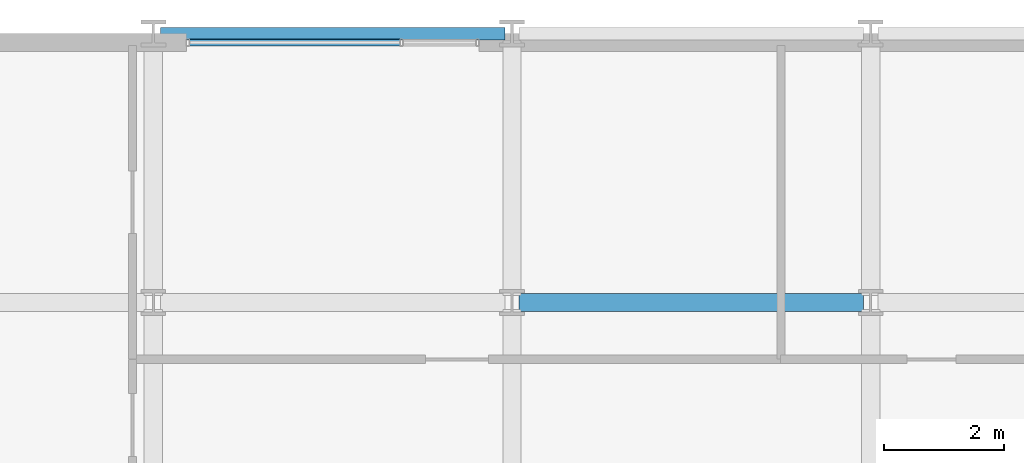
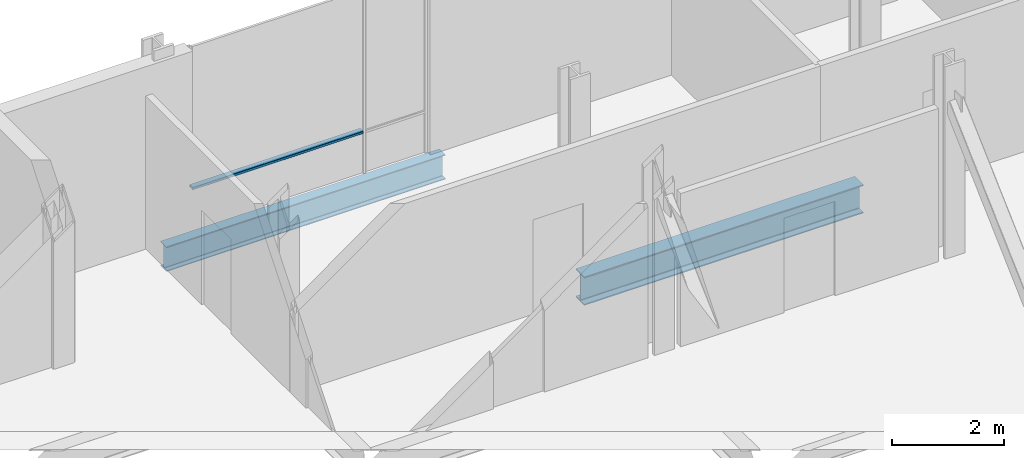
# One storey, part 8 of 32: 2 beams, 1 member, 1 element without a shape of its own.
"""IFC4 building model written with IfcOpenShell, lengths in metres."""

from ifc_helpers import new_model, si_unit, direction, frame, origin, origin_2d, place, context, subcontext, project, spatial, hollow_rectangle, i_section, extrude, material, layer, layer_set, material_profile, profile_set, type_object, element, aggregate, save


model = new_model("IFC4")

# Units and contexts
model_context = context("Model", 3, precision=1e-05, world=origin(), true_north=direction((0.0, 1.0)))
body_context = subcontext(model_context, "Body", "Model", "MODEL_VIEW")
ifc_project = project(units=[si_unit("LENGTHUNIT", "METRE"), si_unit("AREAUNIT", "SQUARE_METRE"), si_unit("VOLUMEUNIT", "CUBIC_METRE"), si_unit("PLANEANGLEUNIT", "RADIAN"), si_unit("MASSUNIT", "GRAM", prefix="KILO")], contexts=[model_context])

# Site, building, storey
site_placement = place(None, origin())
site = spatial("IfcSite", under=ifc_project, at=site_placement, CompositionType="ELEMENT")
building_placement = place(site_placement, origin())
building = spatial("IfcBuilding", under=site, at=building_placement, Name="Brevholm Reach", CompositionType="ELEMENT")
storey_placement = place(building_placement, frame((0.0, 0.0, 96.199951171875)))
storey = spatial("IfcBuildingStorey", under=building, at=storey_placement, Name="L28", CompositionType="ELEMENT", Elevation=96.199951171875)

# Beams
ifc_material_1 = material(Name="Structural Steel S355J2", Category="steel")
ifc_material_profile_1 = material_profile(ifc_material_1, i_section(OverallWidth=0.210693359375, OverallDepth=0.53955078125, WebThickness=0.01171875, FlangeThickness=0.018798828125, FilletRadius=0.0126953125, at=origin_2d()), Name="UKB 533x210x109")
ifc_profile_set_1 = profile_set([ifc_material_profile_1], Name="Structural Steel S355J2")
beam_type_1 = type_object("IfcBeamType", Name="BM-SP539", PredefinedType="SPANDREL", material=ifc_profile_set_1)
beam_1_placement = place(storey_placement, frame((6.1201171875, 31.0, -0.52978515625), z_axis=(1.0, 0.0, 0.0), x_axis=(0.0, 1.0, 0.0)))
element("IfcBeam", 1, at=beam_1_placement, inside=storey, type_object=beam_type_1, Name="L28 SP-01B Framing Beam", PredefinedType="SPANDREL", context=body_context, shape_type="SweptSolid", body=[
    extrude(i_section(OverallWidth=0.210693359375, OverallDepth=0.53955078125, WebThickness=0.01171875, FlangeThickness=0.018798828125, FilletRadius=0.0126953125, at=origin_2d()), origin(), (0.0, 0.0, 1.0), 5.759765625),
])
ifc_material_2 = material(Name="Structural Steel S355J2", Category="steel")
ifc_material_profile_2 = material_profile(ifc_material_2, i_section(OverallWidth=0.30712890625, OverallDepth=0.6201171875, WebThickness=0.01416015625, FlangeThickness=0.023681640625, FilletRadius=0.0166015625, at=origin_2d()), Name="UKB 610x305x179")
ifc_profile_set_2 = profile_set([ifc_material_profile_2], Name="Structural Steel S355J2")
beam_type_2 = type_object("IfcBeamType", Name="BM-UKB610H", PredefinedType="USERDEFINED", material=ifc_profile_set_2)
beam_2_placement = place(storey_placement, frame((12.1201171875, 26.5, -0.570068359375), z_axis=(1.0, 0.0, 0.0), x_axis=(0.0, 1.0, 0.0)))
element("IfcBeam", 2, at=beam_2_placement, inside=storey, type_object=beam_type_2, Name="L28 G-06 Framing Beam", ObjectType="GIRDER", PredefinedType="USERDEFINED", context=body_context, shape_type="SweptSolid", body=[
    extrude(i_section(OverallWidth=0.30712890625, OverallDepth=0.6201171875, WebThickness=0.01416015625, FlangeThickness=0.023681640625, FilletRadius=0.0166015625, at=origin_2d()), origin(), (0.0, 0.0, 1.0), 5.759765625),
])

# Curtain wall, member
ifc_material_3 = material(Name="Dark Anodised Aluminium 6063-T6 and Solar-Control Glass", Category="aluminium")
ifc_layer = layer(ifc_material_3, 0.1201171875)
ifc_layer_set = layer_set([ifc_layer], Name="Dark Anodised Aluminium 6063-T6 and Solar-Control Glass")
curtain_wall_type = type_object("IfcCurtainWallType", Name="CW-06", PredefinedType="NOTDEFINED", material=ifc_layer_set)
curtain_wall_placement = place(storey_placement, origin())
curtain_wall = element("IfcCurtainWall", 3, at=curtain_wall_placement, inside=storey, type_object=curtain_wall_type, Name="L28 Curtain Wall CW-06", PredefinedType="NOTDEFINED")
ifc_material_4 = material(Name="Dark Anodised Aluminium 6063-T6", Category="aluminium")
ifc_material_profile_3 = material_profile(ifc_material_4, hollow_rectangle(XDim=0.054931640625, YDim=0.1201171875, WallThickness=0.00390625, InnerFilletRadius=0.00390625, OuterFilletRadius=0.008056640625, at=origin_2d()), Name="RHS 120x55x4")
ifc_profile_set_3 = profile_set([ifc_material_profile_3], Name="Dark Anodised Aluminium 6063-T6")
member_type = type_object("IfcMemberType", Name="CWT-120", PredefinedType="NOTDEFINED", material=ifc_profile_set_3)
member_placement = place(storey_placement, frame((6.60498046875, 30.85009765625, 0.900146484375), z_axis=(1.0, 0.0, 0.0), x_axis=(0.0, 0.0, 1.0)))
member = element("IfcMember", 4, at=member_placement, type_object=member_type, Name="CT-120 Transom 1.1", ObjectType="TRANSOM", PredefinedType="USERDEFINED", context=body_context, shape_type="SweptSolid", body=[
    extrude(hollow_rectangle(XDim=0.054931640625, YDim=0.1201171875, WallThickness=0.00390625, InnerFilletRadius=0.00390625, OuterFilletRadius=0.008056640625, at=origin_2d()), origin(), (0.0, 0.0, 1.0), 3.517578125),
])
aggregate(curtain_wall, [member])

save(model, "model.ifc")
